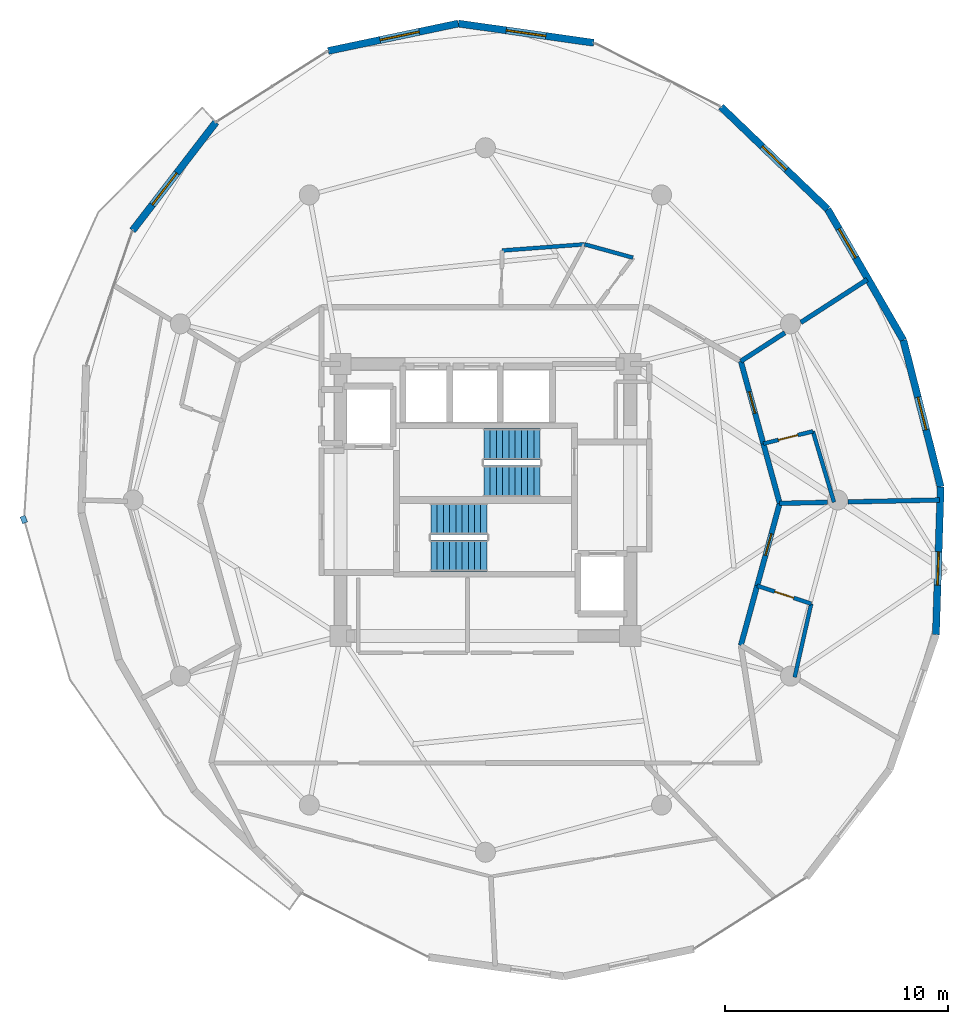
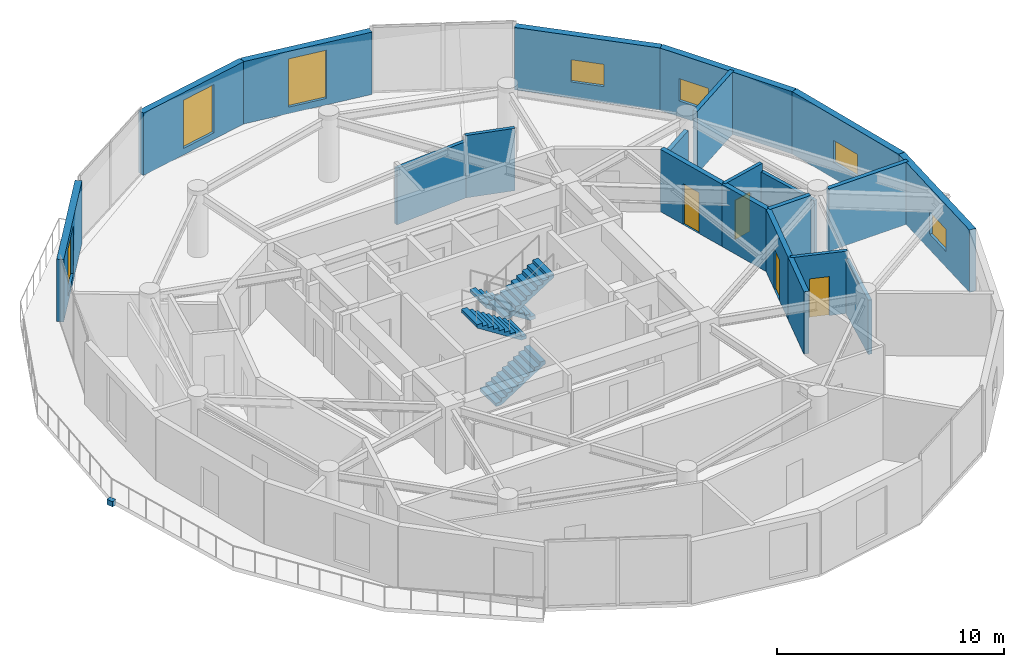
# One storey, part 17 of 19: 21 walls, 7 windows, 4 doors, 4 stair flights, 1 discrete accessory, 11 openings, 2 elements without a shape of their own.
"""IFC4 building model written with IfcOpenShell, lengths in metres."""

from ifc_helpers import new_model, si_unit, direction, frame, frame_2d, origin, origin_2d, place, context, subcontext, project, spatial, polyline, rectangle, outline, extrude, material, layer, layer_set, type_object, element, fill, aggregate, save


model = new_model("IFC4")

# Units and contexts
model_context = context("Model", 3, precision=1e-05, world=origin(), true_north=direction((0.0, 1.0)))
body_context = subcontext(model_context, "Body", "Model", "MODEL_VIEW")
ifc_project = project(units=[si_unit("LENGTHUNIT", "METRE"), si_unit("AREAUNIT", "SQUARE_METRE"), si_unit("VOLUMEUNIT", "CUBIC_METRE"), si_unit("PLANEANGLEUNIT", "RADIAN"), si_unit("MASSUNIT", "GRAM", prefix="KILO")], contexts=[model_context])

# Site, building, storey
site_placement = place(None, origin())
site = spatial("IfcSite", under=ifc_project, at=site_placement, CompositionType="ELEMENT")
building_placement = place(site_placement, origin())
building = spatial("IfcBuilding", under=site, at=building_placement, Name="Solvirekh Grand Hotel", CompositionType="ELEMENT")
storey_placement = place(building_placement, frame((0.0, 0.0, 212.800048828125)))
storey = spatial("IfcBuildingStorey", under=building, at=storey_placement, Name="L55", CompositionType="ELEMENT", Elevation=212.800048828125)

# Wall, opening, window
ifc_material_1 = material(Name="Precast concrete C45/55", Category="concrete")
ifc_layer_1 = layer(ifc_material_1, 0.320068359375)
ifc_layer_set_1 = layer_set([ifc_layer_1], Name="Precast concrete C45/55")
wall_type_1 = type_object("IfcWallType", Name="ExtLobbyWall_RC320", PredefinedType="SOLIDWALL", material=ifc_layer_set_1)
wall_1_placement = place(storey_placement, frame((20.419921875, 0.591064453125, 0.0), z_axis=(0.0, 0.0, 1.0), x_axis=(-0.031931884173, -0.999490047361, 0.0)))
wall_1 = element("IfcWall", 1, at=wall_1_placement, inside=storey, type_object=wall_type_1, Name="L55 cantilevered deck support wall chord 4", PredefinedType="SOLIDWALL", context=body_context, shape_type="SweptSolid", body=[
    extrude(rectangle(XDim=6.636474609375, YDim=0.320068359375, at=frame_2d((3.318359375, 0.0))), origin(), (0.0, 0.0, 1.0), 3.35986328125),
])
opening_1_placement = place(wall_1_placement, frame((2.9140625, 0.0, 0.85009765625)))
opening_1 = element("IfcOpeningElement", 2, at=opening_1_placement, cuts=wall_1, Name="Opening W05", PredefinedType="OPENING", context=body_context, shape_type="SweptSolid", body=[
    extrude(rectangle(XDim=1.5, YDim=1.199951171875, at=frame_2d((0.75, 0.60009765625))), frame((0.0, 0.169921875, 0.0), z_axis=(0.0, -1.0, 0.0), x_axis=(1.0, 0.0, 0.0)), (0.0, 0.0, 1.0), 0.340087890625),
])
ifc_material_2 = material(Name="Low-E Tinted Bronze Laminated Glass", Category="aluminium")
window_type_1 = type_object("IfcWindowType", Name="Win_PlantVent_1500X1200", PartitioningType="SINGLE_PANEL", PredefinedType="WINDOW", material=ifc_material_2)
window_1_placement = place(opening_1_placement, origin())
window_1 = element("IfcWindow", 3, at=window_1_placement, inside=storey, type_object=window_type_1, Name="L55 bronze-framed vision ribbon window 4", OverallHeight=1.199951171875, OverallWidth=1.5, PartitioningType="SINGLE_PANEL", PredefinedType="WINDOW", context=body_context, shape_type="SweptSolid", body=[
    extrude(rectangle(XDim=1.5, YDim=1.199951171875, at=frame_2d((0.75, 0.60009765625))), frame((0.0, 0.030029296875, 0.0), z_axis=(0.0, -1.0, 0.0), x_axis=(1.0, 0.0, 0.0)), (0.0, 0.0, 1.0), 0.06005859375),
])
fill(opening_1, window_1)

wall_2_placement = place(storey_placement, frame((18.7470703125, 7.1669921875, 0.0), z_axis=(0.0, 0.0, 1.0), x_axis=(0.246537970171, -0.969133132889, 0.0)))
wall_2 = element("IfcWall", 4, at=wall_2_placement, inside=storey, type_object=wall_type_1, Name="L55 cantilevered deck support wall chord 5", PredefinedType="SOLIDWALL", context=body_context, shape_type="SweptSolid", body=[
    extrude(rectangle(XDim=6.785400390625, YDim=0.320068359375, at=frame_2d((3.392578125, 0.0))), origin(), (0.0, 0.0, 1.0), 3.35986328125),
])
opening_2_placement = place(wall_2_placement, frame((2.64306640625, 0.0, 0.85009765625)))
opening_2 = element("IfcOpeningElement", 5, at=opening_2_placement, cuts=wall_2, Name="Opening W05", PredefinedType="OPENING", context=body_context, shape_type="SweptSolid", body=[
    extrude(rectangle(XDim=1.5, YDim=1.199951171875, at=frame_2d((0.75, 0.60009765625))), frame((0.0, 0.169921875, 0.0), z_axis=(0.0, -1.0, 0.0), x_axis=(1.0, 0.0, 0.0)), (0.0, 0.0, 1.0), 0.340087890625),
])
window_2_placement = place(opening_2_placement, origin())
window_2 = element("IfcWindow", 6, at=window_2_placement, inside=storey, type_object=window_type_1, Name="L55 bronze-framed vision ribbon window 5", OverallHeight=1.199951171875, OverallWidth=1.5, PartitioningType="SINGLE_PANEL", PredefinedType="WINDOW", context=body_context, shape_type="SweptSolid", body=[
    extrude(rectangle(XDim=1.5, YDim=1.199951171875, at=frame_2d((0.75, 0.60009765625))), frame((0.0, 0.030029296875, 0.0), z_axis=(0.0, -1.0, 0.0), x_axis=(1.0, 0.0, 0.0)), (0.0, 0.0, 1.0), 0.06005859375),
])
fill(opening_2, window_2)

wall_3_placement = place(storey_placement, frame((15.35009765625, 13.041015625, 0.0), z_axis=(0.0, 0.0, 1.0), x_axis=(0.50061923795, -0.865667591281, 0.0)))
wall_3 = element("IfcWall", 7, at=wall_3_placement, inside=storey, type_object=wall_type_1, Name="L55 cantilevered deck support wall chord 6", PredefinedType="SOLIDWALL", context=body_context, shape_type="SweptSolid", body=[
    extrude(rectangle(XDim=6.78564453125, YDim=0.320068359375, at=frame_2d((3.392822265625, 0.0))), origin(), (0.0, 0.0, 1.0), 3.35986328125),
])
opening_3_placement = place(wall_3_placement, frame((1.010009765625, 0.0, 0.85009765625)))
opening_3 = element("IfcOpeningElement", 8, at=opening_3_placement, cuts=wall_3, Name="Opening W05", PredefinedType="OPENING", context=body_context, shape_type="SweptSolid", body=[
    extrude(rectangle(XDim=1.5, YDim=1.199951171875, at=frame_2d((0.75, 0.60009765625))), frame((0.0, 0.169921875, 0.0), z_axis=(0.0, -1.0, 0.0), x_axis=(1.0, 0.0, 0.0)), (0.0, 0.0, 1.0), 0.340087890625),
])
window_3_placement = place(opening_3_placement, origin())
window_3 = element("IfcWindow", 9, at=window_3_placement, inside=storey, type_object=window_type_1, Name="L55 bronze-framed vision ribbon window 6", OverallHeight=1.199951171875, OverallWidth=1.5, PartitioningType="SINGLE_PANEL", PredefinedType="WINDOW", context=body_context, shape_type="SweptSolid", body=[
    extrude(rectangle(XDim=1.5, YDim=1.199951171875, at=frame_2d((0.75, 0.60009765625))), frame((0.0, 0.030029296875, 0.0), z_axis=(0.0, -1.0, 0.0), x_axis=(1.0, 0.0, 0.0)), (0.0, 0.0, 1.0), 0.06005859375),
])
fill(opening_3, window_3)

wall_4_placement = place(storey_placement, frame((10.56396484375, 17.637939453125, 0.0), z_axis=(0.0, 0.0, 1.0), x_axis=(0.721218944664, -0.69270717757, 0.0)))
wall_4 = element("IfcWall", 10, at=wall_4_placement, inside=storey, type_object=wall_type_1, Name="L55 cantilevered deck support wall chord 7", PredefinedType="SOLIDWALL", context=body_context, shape_type="SweptSolid", body=[
    extrude(rectangle(XDim=6.63623046875, YDim=0.320068359375, at=frame_2d((3.318115234375, 0.0))), origin(), (0.0, 0.0, 1.0), 3.35986328125),
])
opening_4_placement = place(wall_4_placement, frame((2.568115234375, 0.0, 0.85009765625)))
opening_4 = element("IfcOpeningElement", 11, at=opening_4_placement, cuts=wall_4, Name="Opening W05", PredefinedType="OPENING", context=body_context, shape_type="SweptSolid", body=[
    extrude(rectangle(XDim=1.5, YDim=1.199951171875, at=frame_2d((0.75, 0.60009765625))), frame((0.0, 0.169921875, 0.0), z_axis=(0.0, -1.0, 0.0), x_axis=(1.0, 0.0, 0.0)), (0.0, 0.0, 1.0), 0.340087890625),
])
window_4_placement = place(opening_4_placement, origin())
window_4 = element("IfcWindow", 12, at=window_4_placement, inside=storey, type_object=window_type_1, Name="L55 bronze-framed vision ribbon window 7", OverallHeight=1.199951171875, OverallWidth=1.5, PartitioningType="SINGLE_PANEL", PredefinedType="WINDOW", context=body_context, shape_type="SweptSolid", body=[
    extrude(rectangle(XDim=1.5, YDim=1.199951171875, at=frame_2d((0.75, 0.60009765625))), frame((0.0, 0.030029296875, 0.0), z_axis=(0.0, -1.0, 0.0), x_axis=(1.0, 0.0, 0.0)), (0.0, 0.0, 1.0), 0.06005859375),
])
fill(opening_4, window_4)

wall_5_placement = place(storey_placement, frame((-1.215087890625, 21.3720703125, 0.0), z_axis=(0.0, 0.0, 1.0), x_axis=(0.990046405444, -0.140741305475, 0.0)))
wall_5 = element("IfcWall", 13, at=wall_5_placement, inside=storey, type_object=wall_type_1, Name="L55 exterior structural wall chord 9", PredefinedType="SOLIDWALL", context=body_context, shape_type="SweptSolid", body=[
    extrude(rectangle(XDim=6.132080078125, YDim=0.320068359375, at=frame_2d((3.06591796875, 0.0))), origin(), (0.0, 0.0, 1.0), 3.35986328125),
])
opening_5_placement = place(wall_5_placement, frame((2.166015625, 0.0, 0.35009765625)))
opening_5 = element("IfcOpeningElement", 14, at=opening_5_placement, cuts=wall_5, Name="Opening W02", PredefinedType="OPENING", context=body_context, shape_type="SweptSolid", body=[
    extrude(rectangle(XDim=1.800048828125, YDim=2.60009765625, at=frame_2d((0.89990234375, 1.300048828125))), frame((0.0, 0.169921875, 0.0), z_axis=(0.0, -1.0, 0.0), x_axis=(1.0, 0.0, 0.0)), (0.0, 0.0, 1.0), 0.340087890625),
])
window_type_2 = type_object("IfcWindowType", Name="Win_LobbyExt_1800X2600", PartitioningType="SINGLE_PANEL", PredefinedType="WINDOW", material=ifc_material_2)
window_5_placement = place(opening_5_placement, origin())
window_5 = element("IfcWindow", 15, at=window_5_placement, inside=storey, type_object=window_type_2, Name="L55 panoramic bronze-framed window 9", OverallHeight=2.60009765625, OverallWidth=1.800048828125, PartitioningType="SINGLE_PANEL", PredefinedType="WINDOW", context=body_context, shape_type="SweptSolid", body=[
    extrude(rectangle(XDim=1.800048828125, YDim=2.60009765625, at=frame_2d((0.89990234375, 1.300048828125))), frame((0.0, 0.030029296875, 0.0), z_axis=(0.0, -1.0, 0.0), x_axis=(1.0, 0.0, 0.0)), (0.0, 0.0, 1.0), 0.06005859375),
])
fill(opening_5, window_5)

wall_6_placement = place(storey_placement, frame((-7.053955078125, 20.14306640625, 0.0), z_axis=(0.0, 0.0, 1.0), x_axis=(0.978557598563, 0.205973363069, 0.0)))
wall_6 = element("IfcWall", 16, at=wall_6_placement, inside=storey, type_object=wall_type_1, Name="L55 exterior structural wall chord 10", PredefinedType="SOLIDWALL", context=body_context, shape_type="SweptSolid", body=[
    extrude(rectangle(XDim=5.966796875, YDim=0.320068359375, at=frame_2d((2.9833984375, 0.0))), origin(), (0.0, 0.0, 1.0), 3.35986328125),
])
opening_6_placement = place(wall_6_placement, frame((2.37890625, 0.0, 0.35009765625)))
opening_6 = element("IfcOpeningElement", 17, at=opening_6_placement, cuts=wall_6, Name="Opening W02", PredefinedType="OPENING", context=body_context, shape_type="SweptSolid", body=[
    extrude(rectangle(XDim=1.800048828125, YDim=2.60009765625, at=frame_2d((0.89990234375, 1.300048828125))), frame((0.0, 0.169921875, 0.0), z_axis=(0.0, -1.0, 0.0), x_axis=(1.0, 0.0, 0.0)), (0.0, 0.0, 1.0), 0.340087890625),
])
window_6_placement = place(opening_6_placement, origin())
window_6 = element("IfcWindow", 18, at=window_6_placement, inside=storey, type_object=window_type_2, Name="L55 panoramic bronze-framed window 10", OverallHeight=2.60009765625, OverallWidth=1.800048828125, PartitioningType="SINGLE_PANEL", PredefinedType="WINDOW", context=body_context, shape_type="SweptSolid", body=[
    extrude(rectangle(XDim=1.800048828125, YDim=2.60009765625, at=frame_2d((0.89990234375, 1.300048828125))), frame((0.0, 0.030029296875, 0.0), z_axis=(0.0, -1.0, 0.0), x_axis=(1.0, 0.0, 0.0)), (0.0, 0.0, 1.0), 0.06005859375),
])
fill(opening_6, window_6)

wall_7_placement = place(storey_placement, frame((-15.830078125, 12.083984375, 0.0), z_axis=(0.0, 0.0, 1.0), x_axis=(0.609935864866, 0.79245078128, 0.0)))
wall_7 = element("IfcWall", 19, at=wall_7_placement, inside=storey, type_object=wall_type_1, Name="L55 exterior structural wall chord 12", PredefinedType="SOLIDWALL", context=body_context, shape_type="SweptSolid", body=[
    extrude(rectangle(XDim=6.1318359375, YDim=0.320068359375, at=frame_2d((3.06591796875, 0.0))), origin(), (0.0, 0.0, 1.0), 3.35986328125),
])
opening_7_placement = place(wall_7_placement, frame((1.4599609375, 0.0, 0.35009765625)))
opening_7 = element("IfcOpeningElement", 20, at=opening_7_placement, cuts=wall_7, Name="Opening W02", PredefinedType="OPENING", context=body_context, shape_type="SweptSolid", body=[
    extrude(rectangle(XDim=1.800048828125, YDim=2.60009765625, at=frame_2d((0.89990234375, 1.300048828125))), frame((0.0, 0.169921875, 0.0), z_axis=(0.0, -1.0, 0.0), x_axis=(1.0, 0.0, 0.0)), (0.0, 0.0, 1.0), 0.340087890625),
])
window_7_placement = place(opening_7_placement, origin())
window_7 = element("IfcWindow", 21, at=window_7_placement, inside=storey, type_object=window_type_2, Name="L55 panoramic bronze-framed window 12", OverallHeight=2.60009765625, OverallWidth=1.800048828125, PartitioningType="SINGLE_PANEL", PredefinedType="WINDOW", context=body_context, shape_type="SweptSolid", body=[
    extrude(rectangle(XDim=1.800048828125, YDim=2.60009765625, at=frame_2d((0.89990234375, 1.300048828125))), frame((0.0, 0.030029296875, 0.0), z_axis=(0.0, -1.0, 0.0), x_axis=(1.0, 0.0, 0.0)), (0.0, 0.0, 1.0), 0.06005859375),
])
fill(opening_7, window_7)

# Wall
ifc_material_3 = material(Name="Acoustic Gypsum Partition Assembly")
ifc_layer_2 = layer(ifc_material_3, 0.239990234375)
ifc_layer_set_2 = layer_set([ifc_layer_2], Name="Acoustic Gypsum Partition Assembly")
wall_type_2 = type_object("IfcWallType", Name="Part_Corridor_240", PredefinedType="PARTITIONING", material=ifc_layer_set_2)
wall_8_placement = place(storey_placement, frame((11.4580078125, -6.52490234375, 0.0), z_axis=(0.0, 0.0, 1.0), x_axis=(0.263735174528, 0.964595126318, 0.0)))
element("IfcWall", 22, at=wall_8_placement, inside=storey, type_object=wall_type_2, Name="L55 En-suite Bathroom 5704 corridor backing wall", PredefinedType="PARTITIONING", context=body_context, shape_type="SweptSolid", body=[
    extrude(rectangle(XDim=2.775146484375, YDim=0.239990234375, at=frame_2d((1.3876953125, 0.0))), origin(), (0.0, 0.0, 1.0), 3.35986328125),
])

# Wall, opening, door
wall_9_placement = place(storey_placement, frame((12.18994140625, -3.847900390625, 0.0), z_axis=(0.0, 0.0, 1.0), x_axis=(0.263473055226, 0.964666755502, 0.0)))
wall_9 = element("IfcWall", 23, at=wall_9_placement, inside=storey, type_object=wall_type_2, Name="L55 Deluxe Guestroom 5704 entrance wall", PredefinedType="PARTITIONING", context=body_context, shape_type="SweptSolid", body=[
    extrude(rectangle(XDim=3.83349609375, YDim=0.239990234375, at=frame_2d((1.916748046875, 0.0))), origin(), (0.0, 0.0, 1.0), 3.35986328125),
])
opening_8_placement = place(wall_9_placement, frame((1.4169921875, 0.0, 0.0)))
opening_8 = element("IfcOpeningElement", 24, at=opening_8_placement, cuts=wall_9, Name="Opening D07", PredefinedType="OPENING", context=body_context, shape_type="SweptSolid", body=[
    extrude(rectangle(XDim=1.0, YDim=2.199951171875, at=frame_2d((0.5, 1.10009765625))), frame((0.0, 0.1298828125, 0.0), z_axis=(0.0, -1.0, 0.0), x_axis=(1.0, 0.0, 0.0)), (0.0, 0.0, 1.0), 0.260009765625),
])
ifc_material_4 = material(Name="Fire-Rated Steel Door Assembly", Category="steel")
door_type_1 = type_object("IfcDoorType", Name="Door_GuestEntry_1000X2200", OperationType="NOTDEFINED", PredefinedType="DOOR", material=ifc_material_4)
door_1_placement = place(opening_8_placement, origin())
door_1 = element("IfcDoor", 25, at=door_1_placement, inside=storey, type_object=door_type_1, Name="L55 Deluxe Guestroom 5704 entrance door", OperationType="SINGLE_SWING_LEFT", OverallHeight=2.199951171875, OverallWidth=1.0, PredefinedType="DOOR", context=body_context, shape_type="SweptSolid", body=[
    extrude(rectangle(XDim=1.0, YDim=2.199951171875, at=frame_2d((0.5, 1.10009765625))), frame((0.0, 0.02490234375, 0.0), z_axis=(0.0, -1.0, 0.0), x_axis=(1.0, 0.0, 0.0)), (0.0, 0.0, 1.0), 0.050048828125),
])
fill(opening_8, door_1)

# Wall
wall_10_placement = place(storey_placement, frame((13.199951171875, -0.14990234375, 0.0), z_axis=(0.0, 0.0, 1.0), x_axis=(-0.263735174528, 0.964595126318, 0.0)))
element("IfcWall", 26, at=wall_10_placement, inside=storey, type_object=wall_type_2, Name="L55 En-suite Bathroom 5705 corridor backing wall", PredefinedType="PARTITIONING", context=body_context, shape_type="SweptSolid", body=[
    extrude(rectangle(XDim=2.775146484375, YDim=0.239990234375, at=frame_2d((1.3876953125, 0.0))), origin(), (0.0, 0.0, 1.0), 3.35986328125),
])

# Wall, opening, door
wall_11_placement = place(storey_placement, frame((12.468017578125, 2.527099609375, 0.0), z_axis=(0.0, 0.0, 1.0), x_axis=(-0.263473055226, 0.964666755502, 0.0)))
wall_11 = element("IfcWall", 27, at=wall_11_placement, inside=storey, type_object=wall_type_2, Name="L55 Deluxe Guestroom 5705 entrance wall", PredefinedType="PARTITIONING", context=body_context, shape_type="SweptSolid", body=[
    extrude(rectangle(XDim=3.83349609375, YDim=0.239990234375, at=frame_2d((1.916748046875, 0.0))), origin(), (0.0, 0.0, 1.0), 3.35986328125),
])
opening_9_placement = place(wall_11_placement, frame((1.4169921875, 0.0, 0.0)))
opening_9 = element("IfcOpeningElement", 28, at=opening_9_placement, cuts=wall_11, Name="Opening D07", PredefinedType="OPENING", context=body_context, shape_type="SweptSolid", body=[
    extrude(rectangle(XDim=1.0, YDim=2.199951171875, at=frame_2d((0.5, 1.10009765625))), frame((0.0, 0.1298828125, 0.0), z_axis=(0.0, -1.0, 0.0), x_axis=(1.0, 0.0, 0.0)), (0.0, 0.0, 1.0), 0.260009765625),
])
door_2_placement = place(opening_9_placement, origin())
door_2 = element("IfcDoor", 29, at=door_2_placement, inside=storey, type_object=door_type_1, Name="L55 Deluxe Guestroom 5705 entrance door", OperationType="SINGLE_SWING_LEFT", OverallHeight=2.199951171875, OverallWidth=1.0, PredefinedType="DOOR", context=body_context, shape_type="SweptSolid", body=[
    extrude(rectangle(XDim=1.0, YDim=2.199951171875, at=frame_2d((0.5, 1.10009765625))), frame((0.0, 0.02490234375, 0.0), z_axis=(0.0, -1.0, 0.0), x_axis=(1.0, 0.0, 0.0)), (0.0, 0.0, 1.0), 0.050048828125),
])
fill(opening_9, door_2)

# Walls
ifc_layer_3 = layer(ifc_material_3, 0.2099609375)
ifc_layer_set_3 = layer_set([ifc_layer_3], Name="Acoustic Gypsum Partition Assembly")
wall_type_3 = type_object("IfcWallType", Name="Part_SuiteDemise_210", PredefinedType="PARTITIONING", material=ifc_layer_set_3)
wall_12_placement = place(storey_placement, frame((13.199951171875, -0.14990234375, 0.0), z_axis=(0.0, 0.0, 1.0), x_axis=(0.999780180016, 0.020966440976, 0.0)))
element("IfcWall", 30, at=wall_12_placement, inside=storey, type_object=wall_type_3, Name="L55 suite radial wall 1 (A)", PredefinedType="PARTITIONING", context=body_context, shape_type="SweptSolid", body=[
    extrude(rectangle(XDim=2.142578125, YDim=0.2099609375, at=frame_2d((1.0712890625, 0.0))), origin(), (0.0, 0.0, 1.0), 3.35986328125),
])
wall_13_placement = place(storey_placement, frame((16.261962890625, -0.0859375, 0.0), z_axis=(0.0, 0.0, 1.0), x_axis=(0.999780309739, 0.02096025426, 0.0)))
element("IfcWall", 31, at=wall_13_placement, inside=storey, type_object=wall_type_3, Name="L55 suite radial wall 1 (B)", PredefinedType="PARTITIONING", context=body_context, shape_type="SweptSolid", body=[
    extrude(rectangle(XDim=4.10009765625, YDim=0.2099609375, at=frame_2d((2.050048828125, 0.0))), origin(), (0.0, 0.0, 1.0), 3.35986328125),
])
wall_14_placement = place(storey_placement, frame((11.4580078125, 6.22509765625, 0.0), z_axis=(0.0, 0.0, 1.0), x_axis=(0.839915213044, 0.542717638278, 0.0)))
element("IfcWall", 32, at=wall_14_placement, inside=storey, type_object=wall_type_3, Name="L55 suite radial wall 2 (A)", PredefinedType="PARTITIONING", context=body_context, shape_type="SweptSolid", body=[
    extrude(rectangle(XDim=2.352783203125, YDim=0.2099609375, at=frame_2d((1.17626953125, 0.0))), origin(), (0.0, 0.0, 1.0), 2.8759765625),
])
wall_15_placement = place(storey_placement, frame((14.14892578125, 7.964111328125, 0.0), z_axis=(0.0, 0.0, 1.0), x_axis=(0.839972682267, 0.542628688004, 0.0)))
element("IfcWall", 33, at=wall_15_placement, inside=storey, type_object=wall_type_3, Name="L55 suite radial wall 2 (B)", PredefinedType="PARTITIONING", context=body_context, shape_type="SweptSolid", body=[
    extrude(rectangle(XDim=3.54541015625, YDim=0.2099609375, at=frame_2d((1.772705078125, 0.0))), origin(), (0.0, 0.0, 1.0), 3.35986328125),
])
ifc_layer_4 = layer(ifc_material_3, 0.175048828125)
ifc_layer_set_4 = layer_set([ifc_layer_4], Name="Acoustic Gypsum Partition Assembly")
wall_type_4 = type_object("IfcWallType", Name="Plumb_Ensuite_175", PredefinedType="PLUMBINGWALL", material=ifc_layer_set_4)
wall_16_placement = place(storey_placement, frame((4.449951171875, 11.468017578125, 0.0), z_axis=(0.0, 0.0, 1.0), x_axis=(0.963902406986, -0.266255797697, 0.0)))
element("IfcWall", 34, at=wall_16_placement, inside=storey, type_object=wall_type_4, Name="L55 En-suite Bathroom 5701 outer plumbing wall", PredefinedType="PLUMBINGWALL", context=body_context, shape_type="SweptSolid", body=[
    extrude(rectangle(XDim=2.250244140625, YDim=0.175048828125, at=frame_2d((1.125, 0.0))), origin(), (0.0, 0.0, 1.0), 3.35986328125),
])
wall_17_placement = place(storey_placement, frame((0.7529296875, 11.18994140625, 0.0), z_axis=(0.0, 0.0, 1.0), x_axis=(0.997183202625, 0.075004402548, 0.0)))
element("IfcWall", 35, at=wall_17_placement, inside=storey, type_object=wall_type_4, Name="L55 En-suite Bathroom 5702 outer plumbing wall", PredefinedType="PLUMBINGWALL", context=body_context, shape_type="SweptSolid", body=[
    extrude(rectangle(XDim=3.70751953125, YDim=0.175048828125, at=frame_2d((1.853759765625, 0.0))), origin(), (0.0, 0.0, 1.0), 3.0419921875),
])
wall_18_placement = place(storey_placement, frame((13.8720703125, -7.949951171875, 0.0), z_axis=(0.0, 0.0, 1.0), x_axis=(0.21927837601, 0.975662335962, 0.0)))
element("IfcWall", 36, at=wall_18_placement, inside=storey, type_object=wall_type_4, Name="L55 En-suite Bathroom 5704 outer plumbing wall", PredefinedType="PLUMBINGWALL", context=body_context, shape_type="SweptSolid", body=[
    extrude(rectangle(XDim=3.379150390625, YDim=0.175048828125, at=frame_2d((1.689453125, 0.0))), origin(), (0.0, 0.0, 1.0), 2.928955078125),
])

# Wall, opening, door
wall_19_placement = place(storey_placement, frame((12.18994140625, -3.847900390625, 0.0), z_axis=(0.0, 0.0, 1.0), x_axis=(0.948979287938, -0.315338407216, 0.0)))
wall_19 = element("IfcWall", 37, at=wall_19_placement, inside=storey, type_object=wall_type_4, Name="L55 En-suite Bathroom 5704 entry plumbing wall", PredefinedType="PLUMBINGWALL", context=body_context, shape_type="SweptSolid", body=[
    extrude(rectangle(XDim=2.553466796875, YDim=0.175048828125, at=frame_2d((1.27685546875, 0.0))), origin(), (0.0, 0.0, 1.0), 3.35986328125),
])
opening_10_placement = place(wall_19_placement, frame((0.826904296875, 0.0, 0.0)))
opening_10 = element("IfcOpeningElement", 38, at=opening_10_placement, cuts=wall_19, Name="Opening D09", PredefinedType="OPENING", context=body_context, shape_type="SweptSolid", body=[
    extrude(rectangle(XDim=0.89990234375, YDim=2.10009765625, at=frame_2d((0.449951171875, 1.050048828125))), frame((0.0, 0.09765625, 0.0), z_axis=(0.0, -1.0, 0.0), x_axis=(1.0, 0.0, 0.0)), (0.0, 0.0, 1.0), 0.195068359375),
])
ifc_material_5 = material(Name="Anodized Bronze Aluminium 6063-T6", Category="aluminium")
door_type_2 = type_object("IfcDoorType", Name="Door_Ensuite_900X2100", OperationType="NOTDEFINED", PredefinedType="DOOR", material=ifc_material_5)
door_3_placement = place(opening_10_placement, origin())
door_3 = element("IfcDoor", 39, at=door_3_placement, inside=storey, type_object=door_type_2, Name="L55 En-suite Bathroom 5704 door", OperationType="SINGLE_SWING_RIGHT", OverallHeight=2.10009765625, OverallWidth=0.89990234375, PredefinedType="DOOR", context=body_context, shape_type="SweptSolid", body=[
    extrude(rectangle(XDim=0.89990234375, YDim=2.10009765625, at=frame_2d((0.449951171875, 1.050048828125))), frame((0.0, 0.02490234375, 0.0), z_axis=(0.0, -1.0, 0.0), x_axis=(1.0, 0.0, 0.0)), (0.0, 0.0, 1.0), 0.050048828125),
])
fill(opening_10, door_3)

# Wall
wall_20_placement = place(storey_placement, frame((15.635009765625, -0.09912109375, 0.0), z_axis=(0.0, 0.0, 1.0), x_axis=(-0.284942849617, 0.958544507288, 0.0)))
element("IfcWall", 40, at=wall_20_placement, inside=storey, type_object=wall_type_4, Name="L55 En-suite Bathroom 5705 outer plumbing wall", PredefinedType="PLUMBINGWALL", context=body_context, shape_type="SweptSolid", body=[
    extrude(rectangle(XDim=3.316650390625, YDim=0.175048828125, at=frame_2d((1.658203125, 0.0))), origin(), (0.0, 0.0, 1.0), 2.928955078125),
])

# Wall, opening, door
wall_21_placement = place(storey_placement, frame((12.468017578125, 2.527099609375, 0.0), z_axis=(0.0, 0.0, 1.0), x_axis=(0.970399110564, 0.241506865776, 0.0)))
wall_21 = element("IfcWall", 41, at=wall_21_placement, inside=storey, type_object=wall_type_4, Name="L55 En-suite Bathroom 5705 entry plumbing wall", PredefinedType="PLUMBINGWALL", context=body_context, shape_type="SweptSolid", body=[
    extrude(rectangle(XDim=2.289794921875, YDim=0.175048828125, at=frame_2d((1.14501953125, 0.0))), origin(), (0.0, 0.0, 1.0), 3.35986328125),
])
opening_11_placement = place(wall_21_placement, frame((0.695068359375, 0.0, 0.0)))
opening_11 = element("IfcOpeningElement", 42, at=opening_11_placement, cuts=wall_21, Name="Opening D09", PredefinedType="OPENING", context=body_context, shape_type="SweptSolid", body=[
    extrude(rectangle(XDim=0.89990234375, YDim=2.10009765625, at=frame_2d((0.449951171875, 1.050048828125))), frame((0.0, 0.09765625, 0.0), z_axis=(0.0, -1.0, 0.0), x_axis=(1.0, 0.0, 0.0)), (0.0, 0.0, 1.0), 0.195068359375),
])
door_4_placement = place(opening_11_placement, origin())
door_4 = element("IfcDoor", 43, at=door_4_placement, inside=storey, type_object=door_type_2, Name="L55 En-suite Bathroom 5705 door", OperationType="SINGLE_SWING_RIGHT", OverallHeight=2.10009765625, OverallWidth=0.89990234375, PredefinedType="DOOR", context=body_context, shape_type="SweptSolid", body=[
    extrude(rectangle(XDim=0.89990234375, YDim=2.10009765625, at=frame_2d((0.449951171875, 1.050048828125))), frame((0.0, 0.02490234375, 0.0), z_axis=(0.0, -1.0, 0.0), x_axis=(1.0, 0.0, 0.0)), (0.0, 0.0, 1.0), 0.050048828125),
])
fill(opening_11, door_4)

# Stair, stair flights
ifc_material_6 = material(Name="Concrete C40/50", Category="concrete")
stair_type = type_object("IfcStairType", Name="Stair_Core_1450", PredefinedType="HALF_TURN_STAIR", material=ifc_material_6)
stair_1_placement = place(storey_placement, origin())
stair_1 = element("IfcStair", 44, at=stair_1_placement, inside=storey, type_object=stair_type, Name="L55 Enclosed exit stair ST-1", PredefinedType="HALF_TURN_STAIR")
stair_flight_type = type_object("IfcStairFlightType", Name="Flight_Core_1450", PredefinedType="STRAIGHT", material=ifc_material_6)
stair_flight_1_placement = place(storey_placement, frame((-2.449951171875, -2.5, 0.0), z_axis=(0.0, 0.0, 1.0), x_axis=(1.0, 0.0, 0.0)))
stair_flight_1 = element("IfcStairFlight", 45, at=stair_flight_1_placement, type_object=stair_flight_type, Name="ST-1 flight 1", NumberOfRisers=10, NumberOfTreads=9, PredefinedType="STRAIGHT", RiserHeight=0.18, TreadLength=0.28, context=body_context, shape_type="SweptSolid", body=[
    extrude(outline(polyline([(0.0, 0.0), (0.0, 0.179931640625), (0.280029296875, 0.179931640625), (0.280029296875, 0.360107421875), (0.56005859375, 0.360107421875), (0.56005859375, 0.5400390625), (0.840087890625, 0.5400390625), (0.840087890625, 0.719970703125), (1.1201171875, 0.719970703125), (1.1201171875, 0.89990234375), (1.39990234375, 0.89990234375), (1.39990234375, 1.080078125), (1.679931640625, 1.080078125), (1.679931640625, 1.260009765625), (1.9599609375, 1.260009765625), (1.9599609375, 1.43994140625), (2.239990234375, 1.43994140625), (2.239990234375, 1.6201171875), (2.52001953125, 1.6201171875), (2.52001953125, 1.800048828125), (2.52001953125, 1.44189453125), (0.277099609375, 0.0), (0.0, 0.0)])), frame((0.0, 0.699951171875, 0.0), z_axis=(0.0, -1.0, 0.0), x_axis=(1.0, 0.0, 0.0)), (0.0, 0.0, 1.0), 1.39990234375),
])
stair_flight_2_placement = place(storey_placement, frame((0.070068359375, -0.85009765625, 1.800048828125), z_axis=(0.0, 0.0, 1.0), x_axis=(-1.0, 0.0, 0.0)))
stair_flight_2 = element("IfcStairFlight", 46, at=stair_flight_2_placement, type_object=stair_flight_type, Name="ST-1 flight 2", NumberOfRisers=10, NumberOfTreads=9, PredefinedType="STRAIGHT", RiserHeight=0.18, TreadLength=0.28, context=body_context, shape_type="SweptSolid", body=[
    extrude(outline(polyline([(0.0, 0.0), (0.0, 0.179931640625), (0.280029296875, 0.179931640625), (0.280029296875, 0.360107421875), (0.56005859375, 0.360107421875), (0.56005859375, 0.5400390625), (0.840087890625, 0.5400390625), (0.840087890625, 0.719970703125), (1.1201171875, 0.719970703125), (1.1201171875, 0.89990234375), (1.39990234375, 0.89990234375), (1.39990234375, 1.080078125), (1.679931640625, 1.080078125), (1.679931640625, 1.260009765625), (1.9599609375, 1.260009765625), (1.9599609375, 1.43994140625), (2.239990234375, 1.43994140625), (2.239990234375, 1.6201171875), (2.52001953125, 1.6201171875), (2.52001953125, 1.800048828125), (2.52001953125, 1.44189453125), (0.277099609375, 0.0), (0.0, 0.0)])), frame((0.0, 0.699951171875, 0.0), z_axis=(0.0, -1.0, 0.0), x_axis=(1.0, 0.0, 0.0)), (0.0, 0.0, 1.0), 1.39990234375),
])
aggregate(stair_1, [stair_flight_1, stair_flight_2])

stair_2_placement = place(storey_placement, origin())
stair_2 = element("IfcStair", 47, at=stair_2_placement, inside=storey, type_object=stair_type, Name="L55 Enclosed exit stair ST-2", PredefinedType="HALF_TURN_STAIR")
stair_flight_3_placement = place(storey_placement, frame((2.449951171875, 2.5, 0.0), z_axis=(0.0, 0.0, 1.0), x_axis=(-1.0, 0.0, 0.0)))
stair_flight_3 = element("IfcStairFlight", 48, at=stair_flight_3_placement, type_object=stair_flight_type, Name="ST-2 flight 1", NumberOfRisers=10, NumberOfTreads=9, PredefinedType="STRAIGHT", RiserHeight=0.18, TreadLength=0.28, context=body_context, shape_type="SweptSolid", body=[
    extrude(outline(polyline([(0.0, 0.0), (0.0, 0.179931640625), (0.280029296875, 0.179931640625), (0.280029296875, 0.360107421875), (0.56005859375, 0.360107421875), (0.56005859375, 0.5400390625), (0.840087890625, 0.5400390625), (0.840087890625, 0.719970703125), (1.1201171875, 0.719970703125), (1.1201171875, 0.89990234375), (1.39990234375, 0.89990234375), (1.39990234375, 1.080078125), (1.679931640625, 1.080078125), (1.679931640625, 1.260009765625), (1.9599609375, 1.260009765625), (1.9599609375, 1.43994140625), (2.239990234375, 1.43994140625), (2.239990234375, 1.6201171875), (2.52001953125, 1.6201171875), (2.52001953125, 1.800048828125), (2.52001953125, 1.44189453125), (0.277099609375, 0.0), (0.0, 0.0)])), frame((0.0, 0.699951171875, 0.0), z_axis=(0.0, -1.0, 0.0), x_axis=(1.0, 0.0, 0.0)), (0.0, 0.0, 1.0), 1.39990234375),
])
stair_flight_4_placement = place(storey_placement, frame((-0.070068359375, 0.85009765625, 1.800048828125), z_axis=(0.0, 0.0, 1.0), x_axis=(1.0, 0.0, 0.0)))
stair_flight_4 = element("IfcStairFlight", 49, at=stair_flight_4_placement, type_object=stair_flight_type, Name="ST-2 flight 2", NumberOfRisers=10, NumberOfTreads=9, PredefinedType="STRAIGHT", RiserHeight=0.18, TreadLength=0.28, context=body_context, shape_type="SweptSolid", body=[
    extrude(outline(polyline([(0.0, 0.0), (0.0, 0.179931640625), (0.280029296875, 0.179931640625), (0.280029296875, 0.360107421875), (0.56005859375, 0.360107421875), (0.56005859375, 0.5400390625), (0.840087890625, 0.5400390625), (0.840087890625, 0.719970703125), (1.1201171875, 0.719970703125), (1.1201171875, 0.89990234375), (1.39990234375, 0.89990234375), (1.39990234375, 1.080078125), (1.679931640625, 1.080078125), (1.679931640625, 1.260009765625), (1.9599609375, 1.260009765625), (1.9599609375, 1.43994140625), (2.239990234375, 1.43994140625), (2.239990234375, 1.6201171875), (2.52001953125, 1.6201171875), (2.52001953125, 1.800048828125), (2.52001953125, 1.44189453125), (0.277099609375, 0.0), (0.0, 0.0)])), frame((0.0, 0.699951171875, 0.0), z_axis=(0.0, -1.0, 0.0), x_axis=(1.0, 0.0, 0.0)), (0.0, 0.0, 1.0), 1.39990234375),
])
aggregate(stair_2, [stair_flight_3, stair_flight_4])

# Discrete accessory
ifc_material_7 = material(Name="Steel S355", Category="steel")
discrete_accessory_type = type_object("IfcDiscreteAccessoryType", Name="Acc_ThermalBracket", PredefinedType="BRACKET", material=ifc_material_7)
discrete_accessory_placement = place(storey_placement, frame((-20.705078125, -0.876953125, -0.2802734375), z_axis=(0.0, 0.0, 1.0), x_axis=(0.377840786818, -0.92587058481, 0.0)))
element("IfcDiscreteAccessory", 50, at=discrete_accessory_placement, inside=storey, type_object=discrete_accessory_type, Name="L55 balcony thermal-break bracket", PredefinedType="BRACKET", context=body_context, shape_type="SweptSolid", body=[
    extrude(rectangle(XDim=0.320068359375, YDim=0.239990234375, at=origin_2d()), origin(), (0.0, 0.0, 1.0), 0.280029296875),
])

save(model, "model.ifc")
